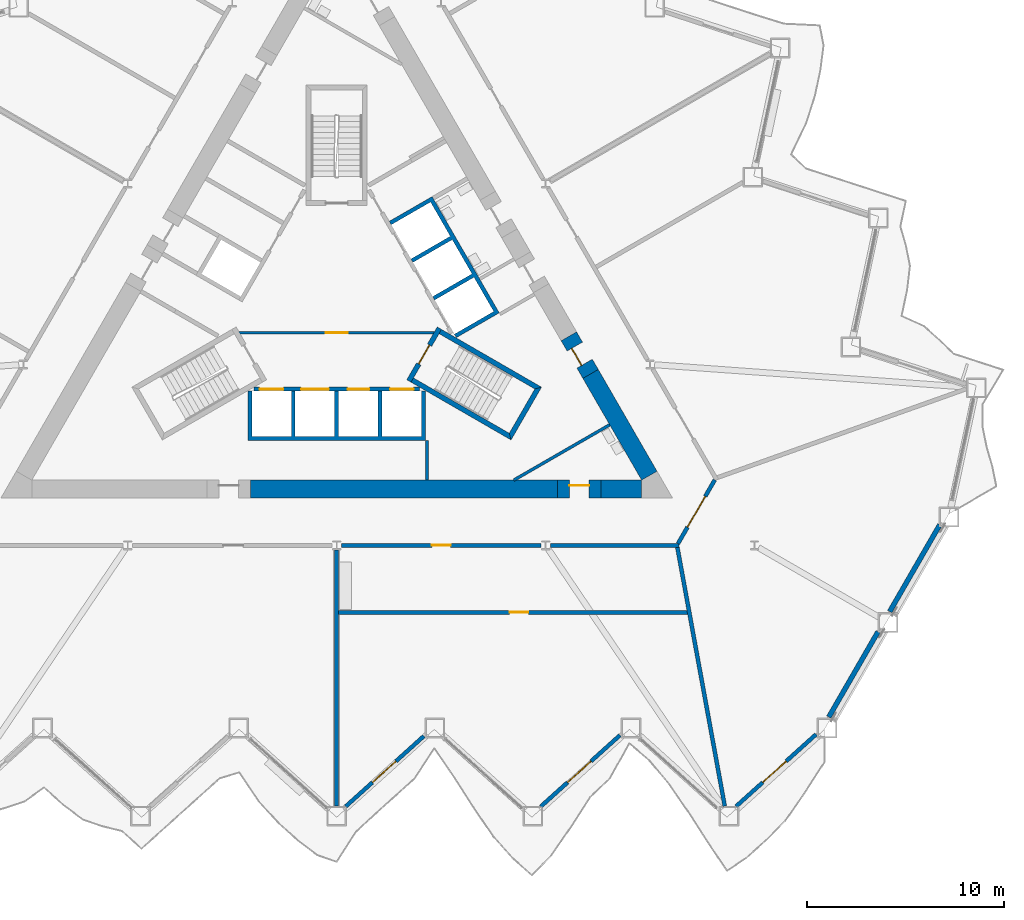
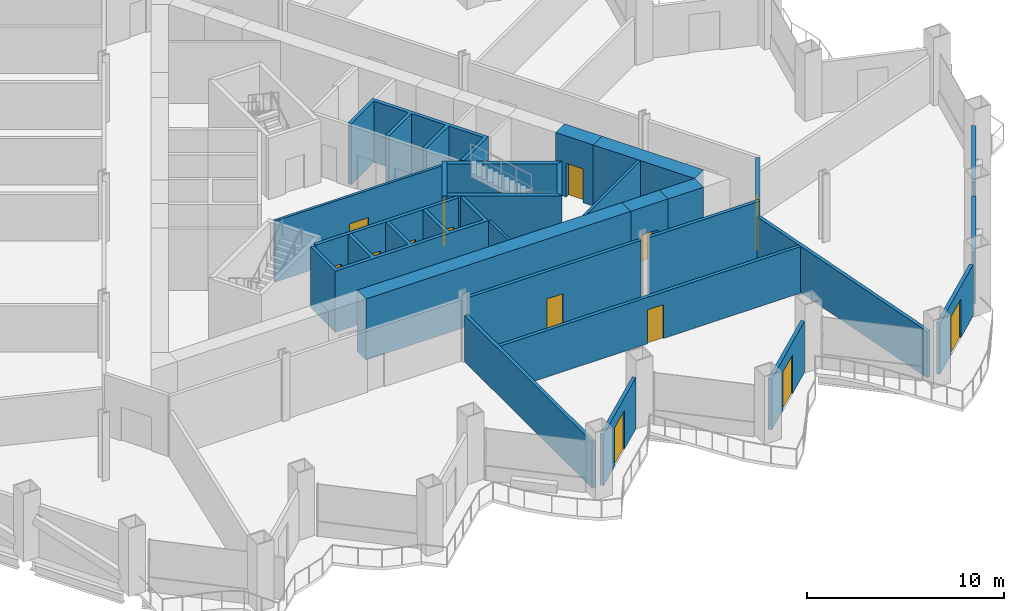
# One storey, part 10 of 21: 26 walls, 14 doors, 14 openings.
"""IFC4 building model written with IfcOpenShell, lengths in metres."""

from ifc_helpers import new_model, si_unit, direction, frame, frame_2d, origin, place, context, subcontext, project, spatial, polyline, rectangle, outline, extrude, material, layer, layer_set, type_object, element, fill, save


model = new_model("IFC4")

# Units and contexts
model_context = context("Model", 3, precision=1e-05, world=origin(), true_north=direction((0.0, 1.0)))
body_context = subcontext(model_context, "Body", "Model", "MODEL_VIEW")
ifc_project = project(units=[si_unit("LENGTHUNIT", "METRE"), si_unit("AREAUNIT", "SQUARE_METRE"), si_unit("VOLUMEUNIT", "CUBIC_METRE"), si_unit("PLANEANGLEUNIT", "RADIAN"), si_unit("MASSUNIT", "GRAM", prefix="KILO")], contexts=[model_context])

# Site, building, storey
site_placement = place(None, origin())
site = spatial("IfcSite", under=ifc_project, at=site_placement, CompositionType="ELEMENT")
building_placement = place(site_placement, origin())
building = spatial("IfcBuilding", under=site, at=building_placement, Name="Cormorant Prow Tower", CompositionType="ELEMENT")
storey_placement = place(building_placement, frame((0.0, 0.0, 80.39990234375)))
storey = spatial("IfcBuildingStorey", under=building, at=storey_placement, Name="L17", CompositionType="ELEMENT", Elevation=80.39990234375)

# Wall, opening, door
ifc_material_1 = material(Name="Gypsum board partition")
ifc_layer_1 = layer(ifc_material_1, 0.14990234375)
ifc_layer_set_1 = layer_set([ifc_layer_1], Name="Gypsum board partition")
wall_type_1 = type_object("IfcWallType", Name="Core partition 150", PredefinedType="PARTITIONING", material=ifc_layer_set_1)
wall_1_placement = place(storey_placement, frame((-4.941162109375, -1.449951171875, 0.0), z_axis=(0.0, 0.0, 1.0), x_axis=(1.0, 0.0, 0.0)))
wall_1 = element("IfcWall", 1, at=wall_1_placement, inside=storey, type_object=wall_type_1, Name="Firefighting lobby partition", PredefinedType="PARTITIONING", context=body_context, shape_type="SweptSolid", body=[
    extrude(rectangle(XDim=9.88232421875, YDim=0.14990234375, at=frame_2d((4.941162109375, 0.0))), origin(), (0.0, 0.0, 1.0), 3.800048828125),
])
opening_1_placement = place(wall_1_placement, frame((4.39111328125, 0.0, 0.0)))
opening_1 = element("IfcOpeningElement", 2, at=opening_1_placement, cuts=wall_1, Name="Opening L17-C11", PredefinedType="OPENING", context=body_context, shape_type="SweptSolid", body=[
    extrude(rectangle(XDim=1.10009765625, YDim=2.10009765625, at=frame_2d((0.550048828125, 1.050048828125))), frame((0.0, 0.0849609375, 0.0), z_axis=(0.0, -1.0, 0.0), x_axis=(1.0, 0.0, 0.0)), (0.0, 0.0, 1.0), 0.169921875),
])
ifc_material_2 = material(Name="Painted steel", Category="steel")
door_type_1 = type_object("IfcDoorType", Name="Firefighting lobby door 1100x2100", OperationType="NOTDEFINED", PredefinedType="DOOR", material=ifc_material_2)
door_1_placement = place(opening_1_placement, origin())
door_1 = element("IfcDoor", 3, at=door_1_placement, inside=storey, type_object=door_type_1, Name="Firefighting lobby door", OperationType="SINGLE_SWING_RIGHT", OverallHeight=2.10009765625, OverallWidth=1.10009765625, PredefinedType="DOOR", context=body_context, shape_type="SweptSolid", body=[
    extrude(rectangle(XDim=1.10009765625, YDim=2.10009765625, at=frame_2d((0.550048828125, 1.050048828125))), frame((0.0, 0.02490234375, 0.0), z_axis=(0.0, -1.0, 0.0), x_axis=(1.0, 0.0, 0.0)), (0.0, 0.0, 1.0), 0.050048828125),
])
fill(opening_1, door_1)

# Walls
wall_2_placement = place(storey_placement, frame((4.574951171875, -6.906005859375, 0.0), z_axis=(0.0, 0.0, 1.0), x_axis=(0.0, -1.0, 0.0)))
element("IfcWall", 4, at=wall_2_placement, inside=storey, type_object=wall_type_1, Name="Service room partition", PredefinedType="PARTITIONING", context=body_context, shape_type="SweptSolid", body=[
    extrude(rectangle(XDim=2.009033203125, YDim=0.14990234375, at=frame_2d((1.00439453125, 0.0))), origin(), (0.0, 0.0, 1.0), 3.800048828125),
])
wall_3_placement = place(storey_placement, frame((13.822509765625, -6.111328125, 0.0), z_axis=(0.0, 0.0, 1.0), x_axis=(-0.866026802741, -0.499997576928, 0.0)))
element("IfcWall", 5, at=wall_3_placement, inside=storey, type_object=wall_type_1, Name="Service room partition", PredefinedType="PARTITIONING", context=body_context, shape_type="SweptSolid", body=[
    extrude(rectangle(XDim=5.607421875, YDim=0.14990234375, at=frame_2d((2.8037109375, 0.0))), origin(), (0.0, 0.0, 1.0), 3.800048828125),
])
ifc_material_3 = material(Name="Concrete 8000 psi", Category="concrete")
ifc_layer_2 = layer(ifc_material_3, 0.89990234375)
ifc_layer_set_2 = layer_set([ifc_layer_2], Name="Concrete 8000 psi")
wall_type_2 = type_object("IfcWallType", Name="Core shear wall 900", PredefinedType="SHEAR", material=ifc_layer_set_2)
wall_4_placement = place(storey_placement, frame((-4.37060546875, -9.364990234375, 0.0), z_axis=(0.0, 0.0, 1.0), x_axis=(1.0, 0.0, 0.0)))
element("IfcWall", 6, at=wall_4_placement, inside=storey, type_object=wall_type_2, Name="Core wall", PredefinedType="SHEAR", context=body_context, shape_type="SweptSolid", body=[
    extrude(rectangle(XDim=15.549560546875, YDim=0.89990234375, at=frame_2d((7.77490234375, 0.0))), origin(), (0.0, 0.0, 1.0), 3.800048828125),
])
wall_5_placement = place(storey_placement, frame((13.37890625, -9.364990234375, 0.0), z_axis=(0.0, 0.0, 1.0), x_axis=(1.0, 0.0, 0.0)))
element("IfcWall", 7, at=wall_5_placement, inside=storey, type_object=wall_type_2, Name="Core wall", PredefinedType="SHEAR", context=body_context, shape_type="SweptSolid", body=[
    extrude(rectangle(XDim=2.062255859375, YDim=0.89990234375, at=frame_2d((1.03125, 0.0))), origin(), (0.0, 0.0, 1.0), 3.800048828125),
])
wall_6_placement = place(storey_placement, frame((15.830810546875, -8.68994140625, 0.0), z_axis=(0.0, 0.0, 1.0), x_axis=(-0.499999419053, 0.866025739194, 0.0)))
element("IfcWall", 8, at=wall_6_placement, inside=storey, type_object=wall_type_2, Name="Core wall", PredefinedType="SHEAR", context=body_context, shape_type="SweptSolid", body=[
    extrude(rectangle(XDim=5.95166015625, YDim=0.89990234375, at=frame_2d((2.975830078125, 0.0))), origin(), (0.0, 0.0, 1.0), 3.800048828125),
])

# Wall, opening, door
wall_7_placement = place(storey_placement, frame((11.178955078125, -9.364990234375, 0.0), z_axis=(0.0, 0.0, 1.0), x_axis=(1.0, 0.0, 0.0)))
wall_7 = element("IfcWall", 9, at=wall_7_placement, inside=storey, type_object=wall_type_2, Name="Core wall door panel", PredefinedType="SHEAR", context=body_context, shape_type="SweptSolid", body=[
    extrude(rectangle(XDim=2.199951171875, YDim=0.89990234375, at=frame_2d((1.10009765625, 0.0))), origin(), (0.0, 0.0, 1.0), 3.800048828125),
])
opening_2_placement = place(wall_7_placement, frame((0.60009765625, 0.0, 0.0)))
opening_2 = element("IfcOpeningElement", 10, at=opening_2_placement, cuts=wall_7, Name="Opening L17-C15", PredefinedType="OPENING", context=body_context, shape_type="SweptSolid", body=[
    extrude(rectangle(XDim=1.0, YDim=2.10009765625, at=frame_2d((0.5, 1.050048828125))), frame((0.0, 0.4599609375, 0.0), z_axis=(0.0, -1.0, 0.0), x_axis=(1.0, 0.0, 0.0)), (0.0, 0.0, 1.0), 0.919921875),
])
ifc_material_4 = material(Name="Painted steel", Category="steel")
door_type_2 = type_object("IfcDoorType", Name="Service door 1000x2100", OperationType="NOTDEFINED", PredefinedType="DOOR", material=ifc_material_4)
door_2_placement = place(opening_2_placement, origin())
door_2 = element("IfcDoor", 11, at=door_2_placement, inside=storey, type_object=door_type_2, Name="Core door, Accessible WC L17", OperationType="SINGLE_SWING_LEFT", OverallHeight=2.10009765625, OverallWidth=1.0, PredefinedType="DOOR", context=body_context, shape_type="SweptSolid", body=[
    extrude(rectangle(XDim=1.0, YDim=2.10009765625, at=frame_2d((0.5, 1.050048828125))), frame((0.0, 0.205078125, 0.0), z_axis=(0.0, -1.0, 0.0), x_axis=(1.0, 0.0, 0.0)), (0.0, 0.0, 1.0), 0.050048828125),
])
fill(opening_2, door_2)

wall_8_placement = place(storey_placement, frame((12.85498046875, -3.53564453125, 0.0), z_axis=(0.0, 0.0, 1.0), x_axis=(-0.50002983664, 0.866008176907, 0.0)))
wall_8 = element("IfcWall", 12, at=wall_8_placement, inside=storey, type_object=wall_type_2, Name="Core wall door panel", PredefinedType="SHEAR", context=body_context, shape_type="SweptSolid", body=[
    extrude(rectangle(XDim=2.199951171875, YDim=0.89990234375, at=frame_2d((1.10009765625, 0.0))), origin(), (0.0, 0.0, 1.0), 3.800048828125),
])
opening_3_placement = place(wall_8_placement, frame((0.60009765625, 0.0, 0.0)))
opening_3 = element("IfcOpeningElement", 13, at=opening_3_placement, cuts=wall_8, Name="Opening L17-C17", PredefinedType="OPENING", context=body_context, shape_type="SweptSolid", body=[
    extrude(rectangle(XDim=1.0, YDim=2.10009765625, at=frame_2d((0.5, 1.050048828125))), frame((0.0, 0.4599609375, 0.0), z_axis=(0.0, -1.0, 0.0), x_axis=(1.0, 0.0, 0.0)), (0.0, 0.0, 1.0), 0.919921875),
])
door_3_placement = place(opening_3_placement, origin())
door_3 = element("IfcDoor", 14, at=door_3_placement, inside=storey, type_object=door_type_2, Name="Core door, Electrical room", OperationType="SINGLE_SWING_LEFT", OverallHeight=2.10009765625, OverallWidth=1.0, PredefinedType="DOOR", context=body_context, shape_type="SweptSolid", body=[
    extrude(rectangle(XDim=1.0, YDim=2.10009765625, at=frame_2d((0.5, 1.050048828125))), frame((0.0, 0.205078125, 0.0), z_axis=(0.0, -1.0, 0.0), x_axis=(1.0, 0.0, 0.0)), (0.0, 0.0, 1.0), 0.050048828125),
])
fill(opening_3, door_3)

ifc_material_5 = material(Name="Gypsum board corridor wall")
ifc_layer_3 = layer(ifc_material_5, 0.199951171875)
ifc_layer_set_3 = layer_set([ifc_layer_3], Name="Gypsum board corridor wall")
wall_type_3 = type_object("IfcWallType", Name="Corridor wall 200", PredefinedType="PARTITIONING", material=ifc_layer_set_3)
wall_9_placement = place(storey_placement, frame((0.2421875, -12.215087890625, 0.0), z_axis=(0.0, 0.0, 1.0), x_axis=(1.0, 0.0, 0.0)))
wall_9 = element("IfcWall", 15, at=wall_9_placement, inside=storey, type_object=wall_type_3, Name="Corridor wall", PredefinedType="PARTITIONING", context=body_context, shape_type="SweptSolid", body=[
    extrude(rectangle(XDim=10.093994140625, YDim=0.199951171875, at=frame_2d((5.046875, 0.0))), origin(), (0.0, 0.0, 1.0), 3.800048828125),
])
opening_4_placement = place(wall_9_placement, frame((4.572021484375, 0.0, 0.0)))
opening_4 = element("IfcOpeningElement", 16, at=opening_4_placement, cuts=wall_9, Name="Opening L17-F02", PredefinedType="OPENING", context=body_context, shape_type="SweptSolid", body=[
    extrude(rectangle(XDim=0.949951171875, YDim=2.10009765625, at=frame_2d((0.47509765625, 1.050048828125))), frame((0.0, 0.10986328125, 0.0), z_axis=(0.0, -1.0, 0.0), x_axis=(1.0, 0.0, 0.0)), (0.0, 0.0, 1.0), 0.219970703125),
])
ifc_material_6 = material(Name="Timber door leaf", Category="wood")
door_type_3 = type_object("IfcDoorType", Name="Store door 950x2100", OperationType="NOTDEFINED", PredefinedType="DOOR", material=ifc_material_6)
door_4_placement = place(opening_4_placement, origin())
door_4 = element("IfcDoor", 17, at=door_4_placement, inside=storey, type_object=door_type_3, Name="Tea point and pantry door", OperationType="SINGLE_SWING_RIGHT", OverallHeight=2.10009765625, OverallWidth=0.949951171875, PredefinedType="DOOR", context=body_context, shape_type="SweptSolid", body=[
    extrude(rectangle(XDim=0.949951171875, YDim=2.10009765625, at=frame_2d((0.47509765625, 1.050048828125))), frame((0.0, 0.02490234375, 0.0), z_axis=(0.0, -1.0, 0.0), x_axis=(1.0, 0.0, 0.0)), (0.0, 0.0, 1.0), 0.050048828125),
])
fill(opening_4, door_4)

# Wall
wall_10_placement = place(storey_placement, frame((10.82080078125, -12.215087890625, 0.0), z_axis=(0.0, 0.0, 1.0), x_axis=(1.0, 0.0, 0.0)))
element("IfcWall", 18, at=wall_10_placement, inside=storey, type_object=wall_type_3, Name="Corridor wall", PredefinedType="PARTITIONING", context=body_context, shape_type="SweptSolid", body=[
    extrude(rectangle(XDim=6.510009765625, YDim=0.199951171875, at=frame_2d((3.2548828125, 0.0))), origin(), (0.0, 0.0, 1.0), 3.800048828125),
])

# Wall, opening, door
wall_11_placement = place(storey_placement, frame((17.281005859375, -12.12841796875, 0.0), z_axis=(0.0, 0.0, 1.0), x_axis=(0.499958791762, 0.866049194065, 0.0)))
wall_11 = element("IfcWall", 19, at=wall_11_placement, inside=storey, type_object=wall_type_3, Name="Corridor wall", PredefinedType="PARTITIONING", context=body_context, shape_type="SweptSolid", body=[
    extrude(rectangle(XDim=3.725830078125, YDim=0.199951171875, at=frame_2d((1.86279296875, 0.0))), origin(), (0.0, 0.0, 1.0), 3.800048828125),
])
opening_5_placement = place(wall_11_placement, frame((0.962890625, 0.0, 0.0)))
opening_5 = element("IfcOpeningElement", 20, at=opening_5_placement, cuts=wall_11, Name="Opening L17-F04", PredefinedType="OPENING", context=body_context, shape_type="SweptSolid", body=[
    extrude(rectangle(XDim=1.800048828125, YDim=2.10009765625, at=frame_2d((0.89990234375, 1.050048828125))), frame((0.0, 0.10986328125, 0.0), z_axis=(0.0, -1.0, 0.0), x_axis=(1.0, 0.0, 0.0)), (0.0, 0.0, 1.0), 0.219970703125),
])
ifc_material_7 = material(Name="Timber door leaf", Category="wood")
door_type_4 = type_object("IfcDoorType", Name="Double door 1800x2100", OperationType="DOUBLE_DOOR_SINGLE_SWING", PredefinedType="DOOR", material=ifc_material_7)
door_5_placement = place(opening_5_placement, origin())
door_5 = element("IfcDoor", 21, at=door_5_placement, inside=storey, type_object=door_type_4, Name="Open-plan office door", OperationType="DOUBLE_DOOR_SINGLE_SWING", OverallHeight=2.10009765625, OverallWidth=1.800048828125, PredefinedType="DOOR", context=body_context, shape_type="SweptSolid", body=[
    extrude(rectangle(XDim=1.800048828125, YDim=2.10009765625, at=frame_2d((0.89990234375, 1.050048828125))), frame((0.0, 0.02490234375, 0.0), z_axis=(0.0, -1.0, 0.0), x_axis=(1.0, 0.0, 0.0)), (0.0, 0.0, 1.0), 0.050048828125),
])
fill(opening_5, door_5)

ifc_material_8 = material(Name="Gypsum board demising wall")
ifc_layer_4 = layer(ifc_material_8, 0.199951171875)
ifc_layer_set_4 = layer_set([ifc_layer_4], Name="Gypsum board demising wall")
wall_type_4 = type_object("IfcWallType", Name="Demising wall 200", PredefinedType="PARTITIONING", material=ifc_layer_set_4)
wall_12_placement = place(storey_placement, frame((0.10009765625, -15.614990234375, 0.0), z_axis=(0.0, 0.0, 1.0), x_axis=(1.0, 0.0, 0.0)))
wall_12 = element("IfcWall", 22, at=wall_12_placement, inside=storey, type_object=wall_type_4, Name="Demising wall", PredefinedType="PARTITIONING", context=body_context, shape_type="SweptSolid", body=[
    extrude(rectangle(XDim=17.653564453125, YDim=0.199951171875, at=frame_2d((8.82666015625, 0.0))), origin(), (0.0, 0.0, 1.0), 2.885498046875),
])
opening_6_placement = place(wall_12_placement, frame((8.65185546875, 0.0, 0.0)))
opening_6 = element("IfcOpeningElement", 23, at=opening_6_placement, cuts=wall_12, Name="Opening L17-F03", PredefinedType="OPENING", context=body_context, shape_type="SweptSolid", body=[
    extrude(rectangle(XDim=0.949951171875, YDim=2.10009765625, at=frame_2d((0.47509765625, 1.050048828125))), frame((0.0, 0.10986328125, 0.0), z_axis=(0.0, -1.0, 0.0), x_axis=(1.0, 0.0, 0.0)), (0.0, 0.0, 1.0), 0.219970703125),
])
door_6_placement = place(opening_6_placement, origin())
door_6 = element("IfcDoor", 24, at=door_6_placement, inside=storey, type_object=door_type_3, Name="Print and copy room door", OperationType="SINGLE_SWING_RIGHT", OverallHeight=2.10009765625, OverallWidth=0.949951171875, PredefinedType="DOOR", context=body_context, shape_type="SweptSolid", body=[
    extrude(rectangle(XDim=0.949951171875, YDim=2.10009765625, at=frame_2d((0.47509765625, 1.050048828125))), frame((0.0, 0.02490234375, 0.0), z_axis=(0.0, -1.0, 0.0), x_axis=(1.0, 0.0, 0.0)), (0.0, 0.0, 1.0), 0.050048828125),
])
fill(opening_6, door_6)

# Walls
wall_13_placement = place(storey_placement, frame((17.248779296875, -12.313232421875, 0.0), z_axis=(0.0, 0.0, 1.0), x_axis=(0.180179866985, -0.983633679544, 0.0)))
element("IfcWall", 25, at=wall_13_placement, inside=storey, type_object=wall_type_4, Name="Demising wall", PredefinedType="PARTITIONING", context=body_context, shape_type="SweptSolid", body=[
    extrude(rectangle(XDim=13.326171875, YDim=0.199951171875, at=frame_2d((6.6630859375, 0.0))), origin(), (0.0, 0.0, 1.0), 2.885498046875),
])
wall_14_placement = place(storey_placement, frame((0.0, -25.42138671875, 0.0), z_axis=(0.0, 0.0, 1.0), x_axis=(0.0, 1.0, 0.0)))
element("IfcWall", 26, at=wall_14_placement, inside=storey, type_object=wall_type_4, Name="Demising wall", PredefinedType="PARTITIONING", context=body_context, shape_type="SweptSolid", body=[
    extrude(rectangle(XDim=12.964111328125, YDim=0.199951171875, at=frame_2d((6.48193359375, 0.0))), origin(), (0.0, 0.0, 1.0), 2.885498046875),
])

# Wall, openings, doors
ifc_material_9 = material(Name="Concrete 5000 psi", Category="concrete")
ifc_layer_5 = layer(ifc_material_9, 0.199951171875)
ifc_layer_set_5 = layer_set([ifc_layer_5], Name="Concrete 5000 psi")
wall_type_5 = type_object("IfcWallType", Name="Lift lobby wall 200", PredefinedType="SOLIDWALL", material=ifc_layer_set_5)
wall_15_placement = place(storey_placement, frame((-4.1865234375, -4.300048828125, 0.0), z_axis=(0.0, 0.0, 1.0), x_axis=(1.0, 0.0, 0.0)))
wall_15 = element("IfcWall", 27, at=wall_15_placement, inside=storey, type_object=wall_type_5, Name="Lift lobby wall, S block", PredefinedType="SOLIDWALL", context=body_context, shape_type="SweptSolid", body=[
    extrude(rectangle(XDim=8.373046875, YDim=0.199951171875, at=frame_2d((4.1865234375, 0.0))), origin(), (0.0, 0.0, 1.0), 3.800048828125),
])
opening_7_placement = place(wall_15_placement, frame((0.28662109375, 0.0, 0.0)))
opening_7 = element("IfcOpeningElement", 28, at=opening_7_placement, cuts=wall_15, Name="Opening L17-C01", PredefinedType="OPENING", context=body_context, shape_type="SweptSolid", body=[
    extrude(rectangle(XDim=1.199951171875, YDim=2.10009765625, at=frame_2d((0.60009765625, 1.050048828125))), frame((0.0, 0.10986328125, 0.0), z_axis=(0.0, -1.0, 0.0), x_axis=(1.0, 0.0, 0.0)), (0.0, 0.0, 1.0), 0.219970703125),
])
opening_8_placement = place(wall_15_placement, frame((2.38671875, 0.0, 0.0)))
opening_8 = element("IfcOpeningElement", 29, at=opening_8_placement, cuts=wall_15, Name="Opening L17-C02", PredefinedType="OPENING", context=body_context, shape_type="SweptSolid", body=[
    extrude(rectangle(XDim=1.39990234375, YDim=2.10009765625, at=frame_2d((0.699951171875, 1.050048828125))), frame((0.0, 0.10986328125, 0.0), z_axis=(0.0, -1.0, 0.0), x_axis=(1.0, 0.0, 0.0)), (0.0, 0.0, 1.0), 0.219970703125),
])
opening_9_placement = place(wall_15_placement, frame((4.736572265625, 0.0, 0.0)))
opening_9 = element("IfcOpeningElement", 30, at=opening_9_placement, cuts=wall_15, Name="Opening L17-C03", PredefinedType="OPENING", context=body_context, shape_type="SweptSolid", body=[
    extrude(rectangle(XDim=1.10009765625, YDim=2.10009765625, at=frame_2d((0.550048828125, 1.050048828125))), frame((0.0, 0.10986328125, 0.0), z_axis=(0.0, -1.0, 0.0), x_axis=(1.0, 0.0, 0.0)), (0.0, 0.0, 1.0), 0.219970703125),
])
opening_10_placement = place(wall_15_placement, frame((6.88671875, 0.0, 0.0)))
opening_10 = element("IfcOpeningElement", 31, at=opening_10_placement, cuts=wall_15, Name="Opening L17-C04", PredefinedType="OPENING", context=body_context, shape_type="SweptSolid", body=[
    extrude(rectangle(XDim=1.199951171875, YDim=2.10009765625, at=frame_2d((0.60009765625, 1.050048828125))), frame((0.0, 0.10986328125, 0.0), z_axis=(0.0, -1.0, 0.0), x_axis=(1.0, 0.0, 0.0)), (0.0, 0.0, 1.0), 0.219970703125),
])
ifc_material_10 = material(Name="Painted steel", Category="steel")
door_type_5 = type_object("IfcDoorType", Name="Firefighting lift landing door 1200x2100", OperationType="SLIDING_TO_LEFT", PredefinedType="DOOR", material=ifc_material_10)
door_7_placement = place(opening_7_placement, origin())
door_7 = element("IfcDoor", 32, at=door_7_placement, inside=storey, type_object=door_type_5, Name="Landing door FL1", OperationType="SLIDING_TO_LEFT", OverallHeight=2.10009765625, OverallWidth=1.199951171875, PredefinedType="DOOR", context=body_context, shape_type="SweptSolid", body=[
    extrude(rectangle(XDim=1.199951171875, YDim=2.10009765625, at=frame_2d((0.60009765625, 1.050048828125))), frame((0.0, 0.02490234375, 0.0), z_axis=(0.0, -1.0, 0.0), x_axis=(1.0, 0.0, 0.0)), (0.0, 0.0, 1.0), 0.050048828125),
])
fill(opening_7, door_7)
door_8_placement = place(opening_10_placement, origin())
door_8 = element("IfcDoor", 33, at=door_8_placement, inside=storey, type_object=door_type_5, Name="Landing door FL2", OperationType="SLIDING_TO_LEFT", OverallHeight=2.10009765625, OverallWidth=1.199951171875, PredefinedType="DOOR", context=body_context, shape_type="SweptSolid", body=[
    extrude(rectangle(XDim=1.199951171875, YDim=2.10009765625, at=frame_2d((0.60009765625, 1.050048828125))), frame((0.0, 0.02490234375, 0.0), z_axis=(0.0, -1.0, 0.0), x_axis=(1.0, 0.0, 0.0)), (0.0, 0.0, 1.0), 0.050048828125),
])
fill(opening_10, door_8)
ifc_material_11 = material(Name="Painted steel", Category="steel")
door_type_6 = type_object("IfcDoorType", Name="Lift landing door 1100x2100", OperationType="SLIDING_TO_LEFT", PredefinedType="DOOR", material=ifc_material_11)
door_9_placement = place(opening_9_placement, origin())
door_9 = element("IfcDoor", 34, at=door_9_placement, inside=storey, type_object=door_type_6, Name="Landing door LR1", OperationType="SLIDING_TO_LEFT", OverallHeight=2.10009765625, OverallWidth=1.10009765625, PredefinedType="DOOR", context=body_context, shape_type="SweptSolid", body=[
    extrude(rectangle(XDim=1.10009765625, YDim=2.10009765625, at=frame_2d((0.550048828125, 1.050048828125))), frame((0.0, 0.02490234375, 0.0), z_axis=(0.0, -1.0, 0.0), x_axis=(1.0, 0.0, 0.0)), (0.0, 0.0, 1.0), 0.050048828125),
])
fill(opening_9, door_9)
ifc_material_12 = material(Name="Painted steel", Category="steel")
door_type_7 = type_object("IfcDoorType", Name="Service lift landing door 1400x2100", OperationType="SLIDING_TO_LEFT", PredefinedType="DOOR", material=ifc_material_12)
door_10_placement = place(opening_8_placement, origin())
door_10 = element("IfcDoor", 35, at=door_10_placement, inside=storey, type_object=door_type_7, Name="Landing door SL1", OperationType="SLIDING_TO_LEFT", OverallHeight=2.10009765625, OverallWidth=1.39990234375, PredefinedType="DOOR", context=body_context, shape_type="SweptSolid", body=[
    extrude(rectangle(XDim=1.39990234375, YDim=2.10009765625, at=frame_2d((0.699951171875, 1.050048828125))), frame((0.0, 0.02490234375, 0.0), z_axis=(0.0, -1.0, 0.0), x_axis=(1.0, 0.0, 0.0)), (0.0, 0.0, 1.0), 0.050048828125),
])
fill(opening_8, door_10)

# Walls
ifc_material_13 = material(Name="Concrete 8000 psi", Category="concrete")
ifc_layer_6 = layer(ifc_material_13, 0.199951171875)
ifc_layer_set_6 = layer_set([ifc_layer_6], Name="Concrete 8000 psi")
wall_type_6 = type_object("IfcWallType", Name="Lift shaft wall 200", PredefinedType="SHEAR", material=ifc_layer_set_6)
wall_16_placement = place(storey_placement, origin())
element("IfcWall", 36, at=wall_16_placement, inside=storey, type_object=wall_type_6, Name="Lift shaft walls, S block", PredefinedType="SHEAR", context=body_context, shape_type="SweptSolid", body=[
    extrude(outline(polyline([(4.5, -4.39990234375), (4.5, -6.906005859375), (-4.5, -6.906005859375), (-4.5, -4.39990234375), (-4.300048828125, -4.39990234375), (-4.300048828125, -6.699951171875), (-2.300048828125, -6.699951171875), (-2.300048828125, -4.39990234375), (-2.10009765625, -4.39990234375), (-2.10009765625, -6.699951171875), (-0.10009765625, -6.699951171875), (-0.10009765625, -4.39990234375), (0.10009765625, -4.39990234375), (0.10009765625, -6.699951171875), (2.10009765625, -6.699951171875), (2.10009765625, -4.39990234375), (2.300048828125, -4.39990234375), (2.300048828125, -6.699951171875), (4.300048828125, -6.699951171875), (4.300048828125, -4.39990234375), (4.5, -4.39990234375)])), origin(), (0.0, 0.0, 1.0), 3.800048828125),
])
wall_17_placement = place(storey_placement, origin())
element("IfcWall", 37, at=wall_17_placement, inside=storey, type_object=wall_type_6, Name="Lift shaft walls, ENE block", PredefinedType="SHEAR", context=body_context, shape_type="SweptSolid", body=[
    extrude(outline(polyline([(2.660400390625, 4.19189453125), (4.830810546875, 5.44482421875), (8.230712890625, -0.444091796875), (6.060546875, -1.697021484375), (5.96044921875, -1.52392578125), (7.952392578125, -0.373779296875), (6.952392578125, 1.358154296875), (4.96044921875, 0.2080078125), (4.860595703125, 0.38134765625), (6.852294921875, 1.53125), (5.852294921875, 3.263427734375), (3.860595703125, 2.11328125), (3.760498046875, 2.28662109375), (5.75244140625, 3.4365234375), (4.75244140625, 5.168701171875), (2.760498046875, 4.018798828125), (2.660400390625, 4.19189453125)])), origin(), (0.0, 0.0, 1.0), 3.800048828125),
])
ifc_material_14 = material(Name="Concrete 8000 psi", Category="concrete")
ifc_layer_7 = layer(ifc_material_14, 0.25)
ifc_layer_set_7 = layer_set([ifc_layer_7], Name="Concrete 8000 psi")
wall_type_7 = type_object("IfcWallType", Name="Stair wall 250", PredefinedType="SHEAR", material=ifc_layer_set_7)
wall_18_placement = place(storey_placement, origin())
element("IfcWall", 38, at=wall_18_placement, inside=storey, type_object=wall_type_7, Name="Stair ST2 enclosure wall (flank)", PredefinedType="SHEAR", context=body_context, shape_type="SweptSolid", body=[
    extrude(outline(polyline([(3.76318359375, -3.95556640625), (8.82958984375, -6.880615234375), (8.738037109375, -6.5390625), (3.88818359375, -3.739013671875), (3.76318359375, -3.95556640625)])), origin(), (0.0, 0.0, 1.0), 3.800048828125),
])
wall_19_placement = place(storey_placement, origin())
element("IfcWall", 39, at=wall_19_placement, inside=storey, type_object=wall_type_7, Name="Stair ST2 enclosure wall (end)", PredefinedType="SHEAR", context=body_context, shape_type="SweptSolid", body=[
    extrude(outline(polyline([(8.82958984375, -6.880615234375), (10.37353515625, -4.206298828125), (10.031982421875, -4.2978515625), (8.738037109375, -6.5390625), (8.82958984375, -6.880615234375)])), origin(), (0.0, 0.0, 1.0), 3.800048828125),
])
wall_20_placement = place(storey_placement, origin())
element("IfcWall", 40, at=wall_20_placement, inside=storey, type_object=wall_type_7, Name="Stair ST2 enclosure wall (flank)", PredefinedType="SHEAR", context=body_context, shape_type="SweptSolid", body=[
    extrude(outline(polyline([(10.031982421875, -4.2978515625), (10.37353515625, -4.206298828125), (5.30712890625, -1.28125), (5.18212890625, -1.497802734375), (10.031982421875, -4.2978515625)])), origin(), (0.0, 0.0, 1.0), 3.800048828125),
])

# Wall, opening, door
wall_21_placement = place(storey_placement, frame((3.655029296875, -3.89306640625, 0.0), z_axis=(0.0, 0.0, 1.0), x_axis=(0.499982516597, 0.866035497597, 0.0)))
wall_21 = element("IfcWall", 41, at=wall_21_placement, inside=storey, type_object=wall_type_7, Name="Stair ST2 door wall", PredefinedType="SHEAR", context=body_context, shape_type="SweptSolid", body=[
    extrude(rectangle(XDim=3.087890625, YDim=0.25, at=frame_2d((1.5439453125, 0.0))), origin(), (0.0, 0.0, 1.0), 3.800048828125),
])
opening_11_placement = place(wall_21_placement, frame((0.993896484375, 0.0, 0.0)))
opening_11 = element("IfcOpeningElement", 42, at=opening_11_placement, cuts=wall_21, Name="Opening L17-C13", PredefinedType="OPENING", context=body_context, shape_type="SweptSolid", body=[
    extrude(rectangle(XDim=1.10009765625, YDim=2.10009765625, at=frame_2d((0.550048828125, 1.050048828125))), frame((0.0, 0.135009765625, 0.0), z_axis=(0.0, -1.0, 0.0), x_axis=(1.0, 0.0, 0.0)), (0.0, 0.0, 1.0), 0.27001953125),
])
ifc_material_15 = material(Name="Painted steel", Category="steel")
door_type_8 = type_object("IfcDoorType", Name="Stair door 1100x2100", OperationType="NOTDEFINED", PredefinedType="DOOR", material=ifc_material_15)
door_11_placement = place(opening_11_placement, origin())
door_11 = element("IfcDoor", 43, at=door_11_placement, inside=storey, type_object=door_type_8, Name="Stair ST2 door", OperationType="SINGLE_SWING_RIGHT", OverallHeight=2.10009765625, OverallWidth=1.10009765625, PredefinedType="DOOR", context=body_context, shape_type="SweptSolid", body=[
    extrude(rectangle(XDim=1.10009765625, YDim=2.10009765625, at=frame_2d((0.550048828125, 1.050048828125))), frame((0.0, 0.02490234375, 0.0), z_axis=(0.0, -1.0, 0.0), x_axis=(1.0, 0.0, 0.0)), (0.0, 0.0, 1.0), 0.050048828125),
])
fill(opening_11, door_11)

# Walls
ifc_material_16 = material(Name="Terracotta", Category="masonry")
ifc_layer_8 = layer(ifc_material_16, 0.25)
ifc_layer_set_8 = layer_set([ifc_layer_8], Name="Terracotta")
wall_type_8 = type_object("IfcWallType", Name="Terracotta bay wall 250", PredefinedType="SOLIDWALL", material=ifc_layer_set_8)
wall_22_placement = place(storey_placement, frame((24.918212890625, -20.909912109375, 0.0), z_axis=(0.0, 0.0, 1.0), x_axis=(0.499978178329, 0.866038002165, 0.0)))
element("IfcWall", 44, at=wall_22_placement, inside=storey, type_object=wall_type_8, Name="Terracotta bay wall ESE00", PredefinedType="SOLIDWALL", context=body_context, shape_type="SweptSolid", body=[
    extrude(rectangle(XDim=4.986083984375, YDim=0.25, at=frame_2d((2.4931640625, 0.0))), origin(), (0.0, 0.0, 1.0), 3.18896484375),
])
wall_23_placement = place(storey_placement, frame((28.0029296875, -15.56689453125, 0.0), z_axis=(0.0, 0.0, 1.0), x_axis=(0.500004250643, 0.866022949661, 0.0)))
element("IfcWall", 45, at=wall_23_placement, inside=storey, type_object=wall_type_8, Name="Terracotta bay wall ESE01", PredefinedType="SOLIDWALL", context=body_context, shape_type="SweptSolid", body=[
    extrude(rectangle(XDim=5.07470703125, YDim=0.25, at=frame_2d((2.537353515625, 0.0))), origin(), (0.0, 0.0, 1.0), 3.18896484375),
])

# Wall, opening, door
ifc_material_17 = material(Name="Terracotta", Category="masonry")
ifc_layer_9 = layer(ifc_material_17, 0.199951171875)
ifc_layer_set_9 = layer_set([ifc_layer_9], Name="Terracotta")
wall_type_9 = type_object("IfcWallType", Name="Terracotta jamb wall 200", PredefinedType="SOLIDWALL", material=ifc_layer_set_9)
wall_24_placement = place(storey_placement, frame((0.45556640625, -25.4375, 0.0), z_axis=(0.0, 0.0, 1.0), x_axis=(0.743161896873, 0.669111646167, 0.0)))
wall_24 = element("IfcWall", 46, at=wall_24_placement, inside=storey, type_object=wall_type_9, Name="Terracotta jamb wall S05", PredefinedType="SOLIDWALL", context=body_context, shape_type="SweptSolid", body=[
    extrude(rectangle(XDim=5.32470703125, YDim=0.199951171875, at=frame_2d((2.662353515625, 0.0))), origin(), (0.0, 0.0, 1.0), 3.18896484375),
])
opening_12_placement = place(wall_24_placement, frame((1.821044921875, 0.0, 0.0)))
opening_12 = element("IfcOpeningElement", 47, at=opening_12_placement, cuts=wall_24, Name="Opening ED17.03", PredefinedType="OPENING", context=body_context, shape_type="SweptSolid", body=[
    extrude(rectangle(XDim=1.60009765625, YDim=2.39990234375, at=frame_2d((0.800048828125, 1.199951171875))), frame((0.0, 0.10986328125, 0.0), z_axis=(0.0, -1.0, 0.0), x_axis=(1.0, 0.0, 0.0)), (0.0, 0.0, 1.0), 0.219970703125),
])
ifc_material_18 = material(Name="Aluminium 6063-T6", Category="aluminium")
door_type_9 = type_object("IfcDoorType", Name="Balcony door 1600x2400", OperationType="DOUBLE_DOOR_SINGLE_SWING", PredefinedType="DOOR", material=ifc_material_18)
door_12_placement = place(opening_12_placement, origin())
door_12 = element("IfcDoor", 48, at=door_12_placement, inside=storey, type_object=door_type_9, Name="Balcony door S05 ED17.03", OperationType="DOUBLE_DOOR_SINGLE_SWING", OverallHeight=2.39990234375, OverallWidth=1.60009765625, PredefinedType="DOOR", context=body_context, shape_type="SweptSolid", body=[
    extrude(rectangle(XDim=1.60009765625, YDim=2.39990234375, at=frame_2d((0.800048828125, 1.199951171875))), frame((0.0, 0.02490234375, 0.0), z_axis=(0.0, -1.0, 0.0), x_axis=(1.0, 0.0, 0.0)), (0.0, 0.0, 1.0), 0.050048828125),
])
fill(opening_12, door_12)

wall_25_placement = place(storey_placement, frame((10.33642578125, -25.4375, 0.0), z_axis=(0.0, 0.0, 1.0), x_axis=(0.74316358834, 0.669109767501, 0.0)))
wall_25 = element("IfcWall", 49, at=wall_25_placement, inside=storey, type_object=wall_type_9, Name="Terracotta jamb wall S07", PredefinedType="SOLIDWALL", context=body_context, shape_type="SweptSolid", body=[
    extrude(rectangle(XDim=5.3935546875, YDim=0.199951171875, at=frame_2d((2.69677734375, 0.0))), origin(), (0.0, 0.0, 1.0), 3.18896484375),
])
opening_13_placement = place(wall_25_placement, frame((1.821044921875, 0.0, 0.0)))
opening_13 = element("IfcOpeningElement", 50, at=opening_13_placement, cuts=wall_25, Name="Opening ED17.04", PredefinedType="OPENING", context=body_context, shape_type="SweptSolid", body=[
    extrude(rectangle(XDim=1.60009765625, YDim=2.39990234375, at=frame_2d((0.800048828125, 1.199951171875))), frame((0.0, 0.10986328125, 0.0), z_axis=(0.0, -1.0, 0.0), x_axis=(1.0, 0.0, 0.0)), (0.0, 0.0, 1.0), 0.219970703125),
])
door_13_placement = place(opening_13_placement, origin())
door_13 = element("IfcDoor", 51, at=door_13_placement, inside=storey, type_object=door_type_9, Name="Balcony door S07 ED17.04", OperationType="DOUBLE_DOOR_SINGLE_SWING", OverallHeight=2.39990234375, OverallWidth=1.60009765625, PredefinedType="DOOR", context=body_context, shape_type="SweptSolid", body=[
    extrude(rectangle(XDim=1.60009765625, YDim=2.39990234375, at=frame_2d((0.800048828125, 1.199951171875))), frame((0.0, 0.02490234375, 0.0), z_axis=(0.0, -1.0, 0.0), x_axis=(1.0, 0.0, 0.0)), (0.0, 0.0, 1.0), 0.050048828125),
])
fill(opening_13, door_13)

wall_26_placement = place(storey_placement, frame((20.21728515625, -25.4375, 0.0), z_axis=(0.0, 0.0, 1.0), x_axis=(0.743143013099, 0.669132619204, 0.0)))
wall_26 = element("IfcWall", 52, at=wall_26_placement, inside=storey, type_object=wall_type_9, Name="Terracotta jamb wall S09", PredefinedType="SOLIDWALL", context=body_context, shape_type="SweptSolid", body=[
    extrude(rectangle(XDim=5.462646484375, YDim=0.199951171875, at=frame_2d((2.7314453125, 0.0))), origin(), (0.0, 0.0, 1.0), 3.18896484375),
])
opening_14_placement = place(wall_26_placement, frame((1.821044921875, 0.0, 0.0)))
opening_14 = element("IfcOpeningElement", 53, at=opening_14_placement, cuts=wall_26, Name="Opening ED17.05", PredefinedType="OPENING", context=body_context, shape_type="SweptSolid", body=[
    extrude(rectangle(XDim=1.60009765625, YDim=2.39990234375, at=frame_2d((0.800048828125, 1.199951171875))), frame((0.0, 0.10986328125, 0.0), z_axis=(0.0, -1.0, 0.0), x_axis=(1.0, 0.0, 0.0)), (0.0, 0.0, 1.0), 0.219970703125),
])
door_14_placement = place(opening_14_placement, origin())
door_14 = element("IfcDoor", 54, at=door_14_placement, inside=storey, type_object=door_type_9, Name="Balcony door S09 ED17.05", OperationType="DOUBLE_DOOR_SINGLE_SWING", OverallHeight=2.39990234375, OverallWidth=1.60009765625, PredefinedType="DOOR", context=body_context, shape_type="SweptSolid", body=[
    extrude(rectangle(XDim=1.60009765625, YDim=2.39990234375, at=frame_2d((0.800048828125, 1.199951171875))), frame((0.0, 0.02490234375, 0.0), z_axis=(0.0, -1.0, 0.0), x_axis=(1.0, 0.0, 0.0)), (0.0, 0.0, 1.0), 0.050048828125),
])
fill(opening_14, door_14)

save(model, "model.ifc")
